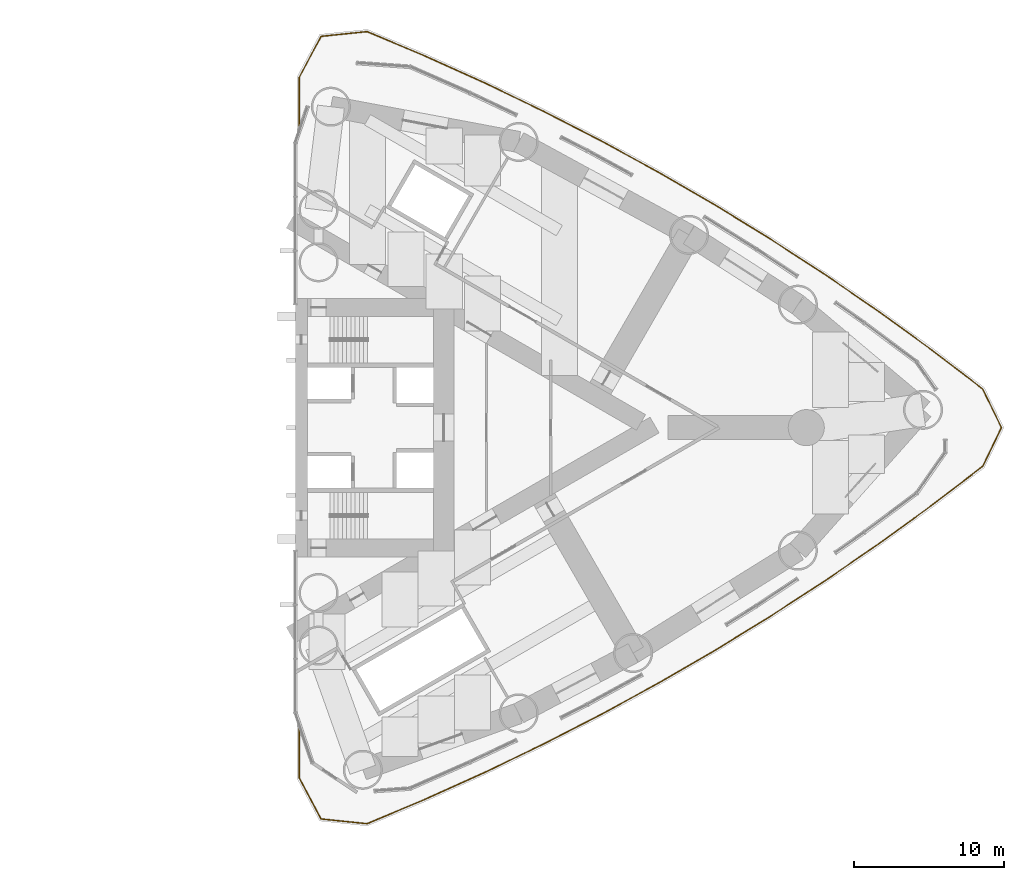
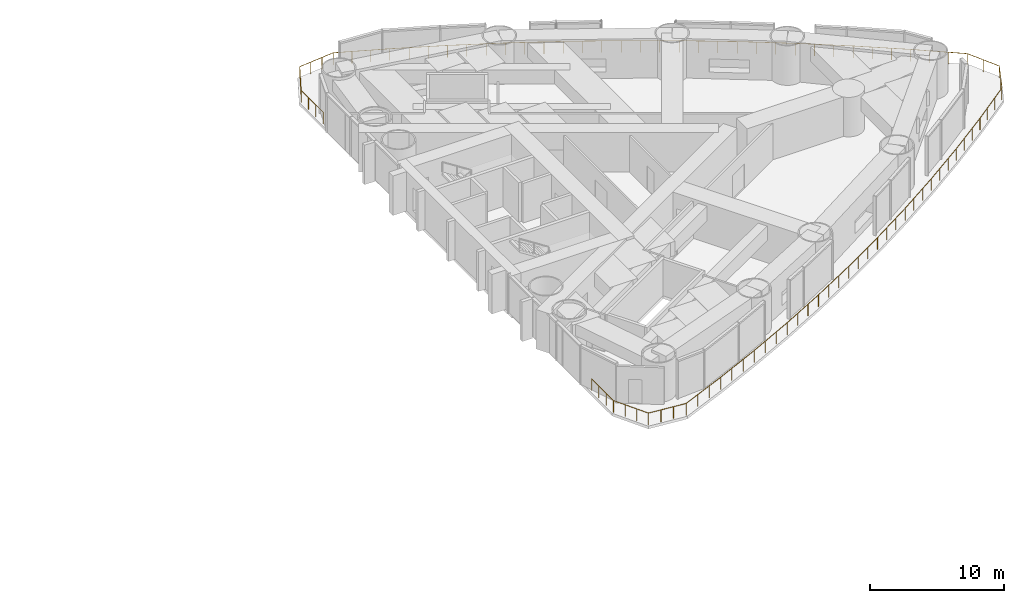
# One storey, part 19 of 19: 1 railing.
"""IFC4 building model written with IfcOpenShell, lengths in metres."""

import ifcopenshell
import ifcopenshell.guid

model = None  # the IFC model being written
_history = None  # IfcOwnerHistory: only IFC2X3 demands one
_inside = {}  # id of a spatial element -> (the spatial element, [elements in it])
_under = {}  # id of a project, library or spatial element -> (it, [spatial elements below it])
_declared = {}  # id of a project -> (the project, [libraries it declares])
_typed = {}  # id of a type object -> (the type object, [elements of that type])
_made_of = {}  # id of a material, layer set ... -> (it, [elements and type objects made of it])


def new_model(schema):
    """Start an empty IFC model of exactly this schema.

    Asked for "IFC4X3", IfcOpenShell would pick the latest addendum, in which some entities
    have other attributes; the version numbers below select the first issue.
    IFC2X3 requires an IfcOwnerHistory on every rooted entity: one is made here for all.
    """
    global model, _history
    if schema == "IFC4X3":
        model = ifcopenshell.file(schema_version=(4, 3, 0, 0))
    else:
        model = ifcopenshell.file(schema=schema)
    _inside.clear()
    _under.clear()
    _declared.clear()
    _typed.clear()
    _made_of.clear()
    _history = None
    if model.schema == "IFC2X3":
        org = make("IfcOrganization", Name="unknown")
        user = make(
            "IfcPersonAndOrganization",
            ThePerson=make("IfcPerson", FamilyName="unknown"),
            TheOrganization=org,
        )
        app = make(
            "IfcApplication",
            ApplicationDeveloper=org,
            Version="unknown",
            ApplicationFullName="unknown",
            ApplicationIdentifier="unknown",
        )
        _history = make(
            "IfcOwnerHistory",
            OwningUser=user,
            OwningApplication=app,
            ChangeAction="ADDED",
            CreationDate=0,
        )
    return model


def make(cls, **values):
    """One entity of the class cls with the attributes given. An attribute that is None is left unset."""
    return model.create_entity(
        cls, **{name: value for name, value in values.items() if value is not None}
    )


def rooted(cls, **values):
    """An entity with a GlobalId (a new one), such as an element, a storey or a relation."""
    return make(cls, GlobalId=ifcopenshell.guid.new(), OwnerHistory=_history, **values)


def si_unit(unit_type, name, prefix=None):
    """IfcSIUnit, for example si_unit("LENGTHUNIT", "METRE", prefix="MILLI")."""
    return make("IfcSIUnit", UnitType=unit_type, Prefix=prefix, Name=name)


def assignment(units):
    """IfcUnitAssignment: the units of a project."""
    return None if units is None else make("IfcUnitAssignment", Units=units)


def point(xyz):
    """IfcCartesianPoint."""
    return None if xyz is None else make("IfcCartesianPoint", Coordinates=xyz)


def direction(xyz):
    """IfcDirection."""
    return None if xyz is None else make("IfcDirection", DirectionRatios=xyz)


def frame(location, z_axis=None, x_axis=None):
    """IfcAxis2Placement3D, a coordinate frame: its origin and axes. An axis left out is left unset."""
    return make(
        "IfcAxis2Placement3D",
        Location=point(location),
        Axis=direction(z_axis),
        RefDirection=direction(x_axis),
    )


def frame_2d(location, x_axis=None):
    """IfcAxis2Placement2D, a coordinate frame in the plane: its origin and x axis."""
    return make(
        "IfcAxis2Placement2D", Location=point(location), RefDirection=direction(x_axis)
    )


def origin():
    """The frame at (0, 0, 0) with its axes left unset."""
    return frame((0.0, 0.0, 0.0))


def origin_2d():
    """The frame at (0, 0) in the plane with its x axis left unset."""
    return frame_2d((0.0, 0.0))


def place(relative_to, where):
    """IfcLocalPlacement: puts the frame where relative to a parent placement (None: the world)."""
    return make(
        "IfcLocalPlacement", PlacementRelTo=relative_to, RelativePlacement=where
    )


def context(
    kind, dimensions, precision=None, world=None, true_north=None, identifier=None
):
    """IfcGeometricRepresentationContext, for example the 3D "Model" context."""
    return make(
        "IfcGeometricRepresentationContext",
        ContextIdentifier=identifier,
        ContextType=kind,
        CoordinateSpaceDimension=dimensions,
        Precision=precision,
        WorldCoordinateSystem=world,
        TrueNorth=true_north,
    )


def subcontext(parent, identifier, kind, view, scale=None):
    """IfcGeometricRepresentationSubContext, for example "Body" below "Model"."""
    return make(
        "IfcGeometricRepresentationSubContext",
        ContextIdentifier=identifier,
        ContextType=kind,
        ParentContext=parent,
        TargetScale=scale,
        TargetView=view,
    )


def project(units=None, contexts=None):
    """IfcProject with its units and contexts."""
    return rooted(
        "IfcProject",
        Name="project",
        RepresentationContexts=contexts,
        UnitsInContext=assignment(units),
    )


def spatial(cls, under=None, at=None, **own):
    """A site, building, storey or space (cls), placed at a placement, below another one or the project."""
    s = rooted(cls, ObjectPlacement=at, **own)
    if under is not None:
        _under.setdefault(under.id(), (under, []))[1].append(s)
    return s


def profile(cls, at=None, kind="AREA", **sizes):
    """A parametric profile (cls). Its sizes go by their IFC names, for example OverallWidth=200.0."""
    return make(cls, ProfileType=kind, Position=at, **sizes)


def circle(**sizes):
    """IfcCircleProfileDef."""
    return profile("IfcCircleProfileDef", **sizes)


def extrude(swept, where, along, depth):
    """IfcExtrudedAreaSolid: the profile swept, set in the frame where, extruded along a direction by depth."""
    return make(
        "IfcExtrudedAreaSolid",
        SweptArea=swept,
        Position=where,
        ExtrudedDirection=direction(along),
        Depth=depth,
    )


def shape(context_of_items, identifier, shape_type, items):
    """IfcShapeRepresentation: the items that make up one representation, for example the "Body"."""
    return make(
        "IfcShapeRepresentation",
        ContextOfItems=context_of_items,
        RepresentationIdentifier=identifier,
        RepresentationType=shape_type,
        Items=items,
    )


def material(Name=None, Category=None):
    """IfcMaterial."""
    return make("IfcMaterial", Name=Name, Category=Category)


def made_of(thing, what):
    """Note that an element or type object is made of a material, layer set ...; save() writes the relation."""
    if what is not None:
        _made_of.setdefault(what.id(), (what, []))[1].append(thing)
    return thing


def type_object(cls, material=None, **own):
    """A type object (cls), such as IfcWallType, which elements share."""
    return made_of(rooted(cls, **own), material)


def element(
    cls,
    number,
    at=None,
    inside=None,
    cuts=None,
    type_object=None,
    material=None,
    context=None,
    identifier="Body",
    shape_type=None,
    held_by="IfcProductDefinitionShape",
    body=None,
    shapes=None,
    **own,
):
    """One element of the class cls, such as IfcWall. Its Tag is "e" and its number.

    at: its placement. inside: the storey or other place that contains it. cuts: it is an
    opening in that element (IfcRelVoidsElement). A single representation is given by context,
    identifier, shape_type and body (its items); several are given by shapes. held_by: the class
    of the entity that holds the representations. save() writes the other relations.
    """
    e = rooted(cls, Tag="e%d" % number, ObjectPlacement=at, **own)
    if body is not None:
        shapes = [shape(context, identifier, shape_type, body)]
    if shapes is not None:
        e.Representation = make(held_by, Representations=shapes)
    if inside is not None:
        _inside.setdefault(inside.id(), (inside, []))[1].append(e)
    if cuts is not None:
        rooted(
            "IfcRelVoidsElement", RelatingBuildingElement=cuts, RelatedOpeningElement=e
        )
    if type_object is not None:
        _typed.setdefault(type_object.id(), (type_object, []))[1].append(e)
    return made_of(e, material)


def aggregate(whole, parts):
    """IfcRelAggregates: a whole, such as a stair, and the parts it consists of."""
    return rooted("IfcRelAggregates", RelatingObject=whole, RelatedObjects=parts)


def save(model, path):
    """Write the relations noted so far, then the file.

    IfcRelAggregates (storeys below a building ...), IfcRelContainedInSpatialStructure (elements
    in a storey), IfcRelDefinesByType, IfcRelAssociatesMaterial and IfcRelDeclares: one each for
    every whole, place, type object, material and project.
    """
    for whole, parts in _under.values():
        aggregate(whole, parts)
    for where, things in _inside.values():
        rooted(
            "IfcRelContainedInSpatialStructure",
            RelatedElements=things,
            RelatingStructure=where,
        )
    for kind, things in _typed.values():
        rooted("IfcRelDefinesByType", RelatedObjects=things, RelatingType=kind)
    for what, things in _made_of.values():
        rooted("IfcRelAssociatesMaterial", RelatedObjects=things, RelatingMaterial=what)
    for by, libraries in _declared.values():
        rooted("IfcRelDeclares", RelatingContext=by, RelatedDefinitions=libraries)
    model.write(path)


model = new_model("IFC4")

# Units and contexts
model_context = context("Model", 3, precision=1e-05, world=origin(), true_north=direction((0.0, 1.0)))
body_context = subcontext(model_context, "Body", "Model", "MODEL_VIEW")
ifc_project = project(units=[si_unit("LENGTHUNIT", "METRE"), si_unit("AREAUNIT", "SQUARE_METRE"), si_unit("VOLUMEUNIT", "CUBIC_METRE"), si_unit("PLANEANGLEUNIT", "RADIAN"), si_unit("MASSUNIT", "GRAM", prefix="KILO")], contexts=[model_context])

# Site, building, storey
site_placement = place(None, origin())
site = spatial("IfcSite", under=ifc_project, at=site_placement, CompositionType="ELEMENT")
building_placement = place(site_placement, origin())
building = spatial("IfcBuilding", under=site, at=building_placement, Name="Lancet Gate Hotel", CompositionType="ELEMENT")
storey_placement = place(building_placement, frame((0.0, 0.0, 87.0)))
storey = spatial("IfcBuildingStorey", under=building, at=storey_placement, Name="L22", CompositionType="ELEMENT", Elevation=87.0)

# Railing
ifc_material = material(Name="Galvanised steel guard rail", Category="steel")
railing_type = type_object("IfcRailingType", Name="Roof guard rail 1100", PredefinedType="GUARDRAIL", material=ifc_material)
railing_placement = place(storey_placement, frame((27.77001953125, -20.045166015625, 0.0)))
element("IfcRailing", 1, at=railing_placement, inside=storey, type_object=railing_type, Name="T2 L22 maintenance roof guard rail", PredefinedType="GUARDRAIL", context=body_context, shape_type="SweptSolid", body=[
    extrude(circle(Radius=0.02392578125, at=origin_2d()), frame((0.0, 0.0, 1.076171875), z_axis=(0.0, -1.0, 0.0), x_axis=(1.0, 0.0, 0.0)), (0.0, 0.0, 1.0), 3.272216796875),
    extrude(circle(Radius=0.02392578125, at=origin_2d()), frame((0.0, -3.272216796875, 1.076171875), z_axis=(0.46984708778, -0.882747820221, 0.0), x_axis=(0.882747820221, 0.46984708778, 0.0)), (0.0, 0.0, 1.0), 3.078125),
    extrude(circle(Radius=0.02392578125, at=origin_2d()), frame((1.4462890625, -5.989501953125, 1.076171875), z_axis=(0.99467245029, -0.103085967203, 0.0), x_axis=(0.103085967203, 0.99467245029, 0.0)), (0.0, 0.0, 1.0), 3.076416015625),
    extrude(circle(Radius=0.02392578125, at=origin_2d()), frame((4.50634765625, -6.306640625, 1.076171875), z_axis=(0.921593347502, 0.388156800585, 0.0), x_axis=(-0.388156800585, 0.921593347502, 0.0)), (0.0, 0.0, 1.0), 4.26513671875),
    extrude(circle(Radius=0.02392578125, at=origin_2d()), frame((8.43701171875, -4.651123046875, 1.076171875), z_axis=(0.911406065658, 0.41150818155, 0.0), x_axis=(-0.41150818155, 0.911406065658, 0.0)), (0.0, 0.0, 1.0), 4.3310546875),
    extrude(circle(Radius=0.02392578125, at=origin_2d()), frame((12.38427734375, -2.868896484375, 1.076171875), z_axis=(0.900640658769, 0.434564614036, 0.0), x_axis=(-0.434564614036, 0.900640658769, 0.0)), (0.0, 0.0, 1.0), 4.3310546875),
    extrude(circle(Radius=0.02392578125, at=origin_2d()), frame((16.284912109375, -0.98681640625, 1.076171875), z_axis=(0.889307454318, 0.457309798379, 0.0), x_axis=(-0.457309798379, 0.889307454318, 0.0)), (0.0, 0.0, 1.0), 4.330810546875),
    extrude(circle(Radius=0.02392578125, at=origin_2d()), frame((20.13623046875, 0.99365234375, 1.076171875), z_axis=(0.877360757137, 0.479831326443, 0.0), x_axis=(-0.479831326443, 0.877360757137, 0.0)), (0.0, 0.0, 1.0), 4.3310546875),
    extrude(circle(Radius=0.02392578125, at=origin_2d()), frame((23.93603515625, 3.07177734375, 1.076171875), z_axis=(0.864868690891, 0.501998154894, 0.0), x_axis=(-0.501998154894, 0.864868690891, 0.0)), (0.0, 0.0, 1.0), 4.330810546875),
    extrude(circle(Radius=0.02392578125, at=origin_2d()), frame((27.681640625, 5.245849609375, 1.076171875), z_axis=(0.851836335125, 0.523808035602, 0.0), x_axis=(-0.523808035602, 0.851836335125, 0.0)), (0.0, 0.0, 1.0), 4.330810546875),
    extrude(circle(Radius=0.02392578125, at=origin_2d()), frame((31.370849609375, 7.514404296875, 1.076171875), z_axis=(0.83818207278, 0.5453905141, 0.0), x_axis=(-0.5453905141, 0.83818207278, 0.0)), (0.0, 0.0, 1.0), 4.3310546875),
    extrude(circle(Radius=0.02392578125, at=origin_2d()), frame((35.0009765625, 9.87646484375, 1.076171875), z_axis=(0.82406495134, 0.566495327406, 0.0), x_axis=(-0.566495327406, 0.82406495134, 0.0)), (0.0, 0.0, 1.0), 4.330810546875),
    extrude(circle(Radius=0.02392578125, at=origin_2d()), frame((38.56982421875, 12.329833984375, 1.076171875), z_axis=(0.809384019067, 0.587279754188, 0.0), x_axis=(-0.587279754188, 0.809384019067, 0.0)), (0.0, 0.0, 1.0), 4.330810546875),
    extrude(circle(Radius=0.02392578125, at=origin_2d()), frame((42.0751953125, 14.873291015625, 1.076171875), z_axis=(0.794151699807, 0.60771957159, 0.0), x_axis=(-0.60771957159, 0.794151699807, 0.0)), (0.0, 0.0, 1.0), 4.2705078125),
    extrude(circle(Radius=0.02392578125, at=origin_2d()), frame((45.466552734375, 17.468505859375, 1.076171875), z_axis=(0.437163986249, 0.899381814985, 0.0), x_axis=(-0.899381814985, 0.437163986249, 0.0)), (0.0, 0.0, 1.0), 2.864990234375),
    extrude(circle(Radius=0.02392578125, at=origin_2d()), frame((46.718994140625, 20.045166015625, 1.076171875), z_axis=(-0.437163986249, 0.899381814985, 0.0), x_axis=(-0.899381814985, -0.437163986249, 0.0)), (0.0, 0.0, 1.0), 2.864990234375),
    extrude(circle(Radius=0.02392578125, at=origin_2d()), frame((45.466552734375, 22.621826171875, 1.076171875), z_axis=(-0.794151699807, 0.60771957159, 0.0), x_axis=(-0.60771957159, -0.794151699807, 0.0)), (0.0, 0.0, 1.0), 4.2705078125),
    extrude(circle(Radius=0.02392578125, at=origin_2d()), frame((42.0751953125, 25.217041015625, 1.076171875), z_axis=(-0.809384019067, 0.587279754188, 0.0), x_axis=(-0.587279754188, -0.809384019067, 0.0)), (0.0, 0.0, 1.0), 4.330810546875),
    extrude(circle(Radius=0.02392578125, at=origin_2d()), frame((38.56982421875, 27.760498046875, 1.076171875), z_axis=(-0.82406495134, 0.566495327406, 0.0), x_axis=(-0.566495327406, -0.82406495134, 0.0)), (0.0, 0.0, 1.0), 4.330810546875),
    extrude(circle(Radius=0.02392578125, at=origin_2d()), frame((35.0009765625, 30.2138671875, 1.076171875), z_axis=(-0.83818207278, 0.5453905141, 0.0), x_axis=(-0.5453905141, -0.83818207278, 0.0)), (0.0, 0.0, 1.0), 4.3310546875),
    extrude(circle(Radius=0.02392578125, at=origin_2d()), frame((31.370849609375, 32.575927734375, 1.076171875), z_axis=(-0.851836335125, 0.523808035602, 0.0), x_axis=(-0.523808035602, -0.851836335125, 0.0)), (0.0, 0.0, 1.0), 4.330810546875),
    extrude(circle(Radius=0.02392578125, at=origin_2d()), frame((27.681640625, 34.844482421875, 1.076171875), z_axis=(-0.864868690891, 0.501998154894, 0.0), x_axis=(-0.501998154894, -0.864868690891, 0.0)), (0.0, 0.0, 1.0), 4.330810546875),
    extrude(circle(Radius=0.02392578125, at=origin_2d()), frame((23.93603515625, 37.0185546875, 1.076171875), z_axis=(-0.877360757137, 0.479831326443, 0.0), x_axis=(-0.479831326443, -0.877360757137, 0.0)), (0.0, 0.0, 1.0), 4.3310546875),
    extrude(circle(Radius=0.02392578125, at=origin_2d()), frame((20.13623046875, 39.0966796875, 1.076171875), z_axis=(-0.889307454318, 0.457309798379, 0.0), x_axis=(-0.457309798379, -0.889307454318, 0.0)), (0.0, 0.0, 1.0), 4.330810546875),
    extrude(circle(Radius=0.02392578125, at=origin_2d()), frame((16.284912109375, 41.0771484375, 1.076171875), z_axis=(-0.900640658769, 0.434564614036, 0.0), x_axis=(-0.434564614036, -0.900640658769, 0.0)), (0.0, 0.0, 1.0), 4.3310546875),
    extrude(circle(Radius=0.02392578125, at=origin_2d()), frame((12.38427734375, 42.959228515625, 1.076171875), z_axis=(-0.911406065658, 0.41150818155, 0.0), x_axis=(-0.41150818155, -0.911406065658, 0.0)), (0.0, 0.0, 1.0), 4.3310546875),
    extrude(circle(Radius=0.02392578125, at=origin_2d()), frame((8.43701171875, 44.741455078125, 1.076171875), z_axis=(-0.921593347502, 0.388156800585, 0.0), x_axis=(-0.388156800585, -0.921593347502, 0.0)), (0.0, 0.0, 1.0), 4.26513671875),
    extrude(circle(Radius=0.02392578125, at=origin_2d()), frame((4.50634765625, 46.39697265625, 1.076171875), z_axis=(-0.99467245029, -0.103085967203, 0.0), x_axis=(0.103085967203, -0.99467245029, 0.0)), (0.0, 0.0, 1.0), 3.076416015625),
    extrude(circle(Radius=0.02392578125, at=origin_2d()), frame((1.4462890625, 46.079833984375, 1.076171875), z_axis=(-0.46984708778, -0.882747820221, 0.0), x_axis=(0.882747820221, -0.46984708778, 0.0)), (0.0, 0.0, 1.0), 3.078125),
    extrude(circle(Radius=0.02392578125, at=origin_2d()), frame((0.0, 43.362548828125, 1.076171875), z_axis=(0.0, -1.0, 0.0), x_axis=(1.0, 0.0, 0.0)), (0.0, 0.0, 1.0), 3.272216796875),
    extrude(circle(Radius=0.02099609375, at=origin_2d()), origin(), (0.0, 0.0, 1.0), 1.052001953125),
    extrude(circle(Radius=0.02099609375, at=origin_2d()), frame((0.0, -1.0908203125, 0.0)), (0.0, 0.0, 1.0), 1.052001953125),
    extrude(circle(Radius=0.02099609375, at=origin_2d()), frame((0.0, -2.181396484375, 0.0)), (0.0, 0.0, 1.0), 1.052001953125),
    extrude(circle(Radius=0.02099609375, at=origin_2d()), frame((0.0, -3.272216796875, 0.0)), (0.0, 0.0, 1.0), 1.052001953125),
    extrude(circle(Radius=0.02099609375, at=origin_2d()), frame((0.482177734375, -4.177978515625, 0.0)), (0.0, 0.0, 1.0), 1.052001953125),
    extrude(circle(Radius=0.02099609375, at=origin_2d()), frame((0.964111328125, -5.083740234375, 0.0)), (0.0, 0.0, 1.0), 1.052001953125),
    extrude(circle(Radius=0.02099609375, at=origin_2d()), frame((1.4462890625, -5.989501953125, 0.0)), (0.0, 0.0, 1.0), 1.052001953125),
    extrude(circle(Radius=0.02099609375, at=origin_2d()), frame((2.46630859375, -6.09521484375, 0.0)), (0.0, 0.0, 1.0), 1.052001953125),
    extrude(circle(Radius=0.02099609375, at=origin_2d()), frame((3.486328125, -6.200927734375, 0.0)), (0.0, 0.0, 1.0), 1.052001953125),
    extrude(circle(Radius=0.02099609375, at=origin_2d()), frame((4.50634765625, -6.306640625, 0.0)), (0.0, 0.0, 1.0), 1.052001953125),
    extrude(circle(Radius=0.02099609375, at=origin_2d()), frame((5.816650390625, -5.7548828125, 0.0)), (0.0, 0.0, 1.0), 1.052001953125),
    extrude(circle(Radius=0.02099609375, at=origin_2d()), frame((7.126708984375, -5.202880859375, 0.0)), (0.0, 0.0, 1.0), 1.052001953125),
    extrude(circle(Radius=0.02099609375, at=origin_2d()), frame((8.43701171875, -4.651123046875, 0.0)), (0.0, 0.0, 1.0), 1.052001953125),
    extrude(circle(Radius=0.02099609375, at=origin_2d()), frame((9.752685546875, -4.05712890625, 0.0)), (0.0, 0.0, 1.0), 1.052001953125),
    extrude(circle(Radius=0.02099609375, at=origin_2d()), frame((11.068603515625, -3.462890625, 0.0)), (0.0, 0.0, 1.0), 1.052001953125),
    extrude(circle(Radius=0.02099609375, at=origin_2d()), frame((12.38427734375, -2.868896484375, 0.0)), (0.0, 0.0, 1.0), 1.052001953125),
    extrude(circle(Radius=0.02099609375, at=origin_2d()), frame((13.6845703125, -2.241455078125, 0.0)), (0.0, 0.0, 1.0), 1.052001953125),
    extrude(circle(Radius=0.02099609375, at=origin_2d()), frame((14.984619140625, -1.6142578125, 0.0)), (0.0, 0.0, 1.0), 1.052001953125),
    extrude(circle(Radius=0.02099609375, at=origin_2d()), frame((16.284912109375, -0.98681640625, 0.0)), (0.0, 0.0, 1.0), 1.052001953125),
    extrude(circle(Radius=0.02099609375, at=origin_2d()), frame((17.568603515625, -0.32666015625, 0.0)), (0.0, 0.0, 1.0), 1.052001953125),
    extrude(circle(Radius=0.02099609375, at=origin_2d()), frame((18.8525390625, 0.33349609375, 0.0)), (0.0, 0.0, 1.0), 1.052001953125),
    extrude(circle(Radius=0.02099609375, at=origin_2d()), frame((20.13623046875, 0.99365234375, 0.0)), (0.0, 0.0, 1.0), 1.052001953125),
    extrude(circle(Radius=0.02099609375, at=origin_2d()), frame((21.40283203125, 1.686279296875, 0.0)), (0.0, 0.0, 1.0), 1.052001953125),
    extrude(circle(Radius=0.02099609375, at=origin_2d()), frame((22.66943359375, 2.379150390625, 0.0)), (0.0, 0.0, 1.0), 1.052001953125),
    extrude(circle(Radius=0.02099609375, at=origin_2d()), frame((23.93603515625, 3.07177734375, 0.0)), (0.0, 0.0, 1.0), 1.052001953125),
    extrude(circle(Radius=0.02099609375, at=origin_2d()), frame((25.1845703125, 3.79638671875, 0.0)), (0.0, 0.0, 1.0), 1.052001953125),
    extrude(circle(Radius=0.02099609375, at=origin_2d()), frame((26.43310546875, 4.521240234375, 0.0)), (0.0, 0.0, 1.0), 1.052001953125),
    extrude(circle(Radius=0.02099609375, at=origin_2d()), frame((27.681640625, 5.245849609375, 0.0)), (0.0, 0.0, 1.0), 1.052001953125),
    extrude(circle(Radius=0.02099609375, at=origin_2d()), frame((28.911376953125, 6.001953125, 0.0)), (0.0, 0.0, 1.0), 1.052001953125),
    extrude(circle(Radius=0.02099609375, at=origin_2d()), frame((30.14111328125, 6.75830078125, 0.0)), (0.0, 0.0, 1.0), 1.052001953125),
    extrude(circle(Radius=0.02099609375, at=origin_2d()), frame((31.370849609375, 7.514404296875, 0.0)), (0.0, 0.0, 1.0), 1.052001953125),
    extrude(circle(Radius=0.02099609375, at=origin_2d()), frame((32.580810546875, 8.3017578125, 0.0)), (0.0, 0.0, 1.0), 1.052001953125),
    extrude(circle(Radius=0.02099609375, at=origin_2d()), frame((33.791015625, 9.089111328125, 0.0)), (0.0, 0.0, 1.0), 1.052001953125),
    extrude(circle(Radius=0.02099609375, at=origin_2d()), frame((35.0009765625, 9.87646484375, 0.0)), (0.0, 0.0, 1.0), 1.052001953125),
    extrude(circle(Radius=0.02099609375, at=origin_2d()), frame((36.190673828125, 10.6943359375, 0.0)), (0.0, 0.0, 1.0), 1.052001953125),
    extrude(circle(Radius=0.02099609375, at=origin_2d()), frame((37.380126953125, 11.511962890625, 0.0)), (0.0, 0.0, 1.0), 1.052001953125),
    extrude(circle(Radius=0.02099609375, at=origin_2d()), frame((38.56982421875, 12.329833984375, 0.0)), (0.0, 0.0, 1.0), 1.052001953125),
    extrude(circle(Radius=0.02099609375, at=origin_2d()), frame((39.73828125, 13.177734375, 0.0)), (0.0, 0.0, 1.0), 1.052001953125),
    extrude(circle(Radius=0.02099609375, at=origin_2d()), frame((40.90673828125, 14.025390625, 0.0)), (0.0, 0.0, 1.0), 1.052001953125),
    extrude(circle(Radius=0.02099609375, at=origin_2d()), frame((42.0751953125, 14.873291015625, 0.0)), (0.0, 0.0, 1.0), 1.052001953125),
    extrude(circle(Radius=0.02099609375, at=origin_2d()), frame((43.20556640625, 15.73828125, 0.0)), (0.0, 0.0, 1.0), 1.052001953125),
    extrude(circle(Radius=0.02099609375, at=origin_2d()), frame((44.336181640625, 16.603515625, 0.0)), (0.0, 0.0, 1.0), 1.052001953125),
    extrude(circle(Radius=0.02099609375, at=origin_2d()), frame((45.466552734375, 17.468505859375, 0.0)), (0.0, 0.0, 1.0), 1.052001953125),
    extrude(circle(Radius=0.02099609375, at=origin_2d()), frame((46.0927734375, 18.7568359375, 0.0)), (0.0, 0.0, 1.0), 1.052001953125),
    extrude(circle(Radius=0.02099609375, at=origin_2d()), frame((46.718994140625, 20.045166015625, 0.0)), (0.0, 0.0, 1.0), 1.052001953125),
    extrude(circle(Radius=0.02099609375, at=origin_2d()), frame((46.0927734375, 21.33349609375, 0.0)), (0.0, 0.0, 1.0), 1.052001953125),
    extrude(circle(Radius=0.02099609375, at=origin_2d()), frame((45.466552734375, 22.621826171875, 0.0)), (0.0, 0.0, 1.0), 1.052001953125),
    extrude(circle(Radius=0.02099609375, at=origin_2d()), frame((44.336181640625, 23.48681640625, 0.0)), (0.0, 0.0, 1.0), 1.052001953125),
    extrude(circle(Radius=0.02099609375, at=origin_2d()), frame((43.20556640625, 24.35205078125, 0.0)), (0.0, 0.0, 1.0), 1.052001953125),
    extrude(circle(Radius=0.02099609375, at=origin_2d()), frame((42.0751953125, 25.217041015625, 0.0)), (0.0, 0.0, 1.0), 1.052001953125),
    extrude(circle(Radius=0.02099609375, at=origin_2d()), frame((40.90673828125, 26.06494140625, 0.0)), (0.0, 0.0, 1.0), 1.052001953125),
    extrude(circle(Radius=0.02099609375, at=origin_2d()), frame((39.73828125, 26.91259765625, 0.0)), (0.0, 0.0, 1.0), 1.052001953125),
    extrude(circle(Radius=0.02099609375, at=origin_2d()), frame((38.56982421875, 27.760498046875, 0.0)), (0.0, 0.0, 1.0), 1.052001953125),
    extrude(circle(Radius=0.02099609375, at=origin_2d()), frame((37.380126953125, 28.578369140625, 0.0)), (0.0, 0.0, 1.0), 1.052001953125),
    extrude(circle(Radius=0.02099609375, at=origin_2d()), frame((36.190673828125, 29.39599609375, 0.0)), (0.0, 0.0, 1.0), 1.052001953125),
    extrude(circle(Radius=0.02099609375, at=origin_2d()), frame((35.0009765625, 30.2138671875, 0.0)), (0.0, 0.0, 1.0), 1.052001953125),
    extrude(circle(Radius=0.02099609375, at=origin_2d()), frame((33.791015625, 31.001220703125, 0.0)), (0.0, 0.0, 1.0), 1.052001953125),
    extrude(circle(Radius=0.02099609375, at=origin_2d()), frame((32.580810546875, 31.78857421875, 0.0)), (0.0, 0.0, 1.0), 1.052001953125),
    extrude(circle(Radius=0.02099609375, at=origin_2d()), frame((31.370849609375, 32.575927734375, 0.0)), (0.0, 0.0, 1.0), 1.052001953125),
    extrude(circle(Radius=0.02099609375, at=origin_2d()), frame((30.14111328125, 33.33203125, 0.0)), (0.0, 0.0, 1.0), 1.052001953125),
    extrude(circle(Radius=0.02099609375, at=origin_2d()), frame((28.911376953125, 34.08837890625, 0.0)), (0.0, 0.0, 1.0), 1.052001953125),
    extrude(circle(Radius=0.02099609375, at=origin_2d()), frame((27.681640625, 34.844482421875, 0.0)), (0.0, 0.0, 1.0), 1.052001953125),
    extrude(circle(Radius=0.02099609375, at=origin_2d()), frame((26.43310546875, 35.569091796875, 0.0)), (0.0, 0.0, 1.0), 1.052001953125),
    extrude(circle(Radius=0.02099609375, at=origin_2d()), frame((25.1845703125, 36.2939453125, 0.0)), (0.0, 0.0, 1.0), 1.052001953125),
    extrude(circle(Radius=0.02099609375, at=origin_2d()), frame((23.93603515625, 37.0185546875, 0.0)), (0.0, 0.0, 1.0), 1.052001953125),
    extrude(circle(Radius=0.02099609375, at=origin_2d()), frame((22.66943359375, 37.711181640625, 0.0)), (0.0, 0.0, 1.0), 1.052001953125),
    extrude(circle(Radius=0.02099609375, at=origin_2d()), frame((21.40283203125, 38.404052734375, 0.0)), (0.0, 0.0, 1.0), 1.052001953125),
    extrude(circle(Radius=0.02099609375, at=origin_2d()), frame((20.13623046875, 39.0966796875, 0.0)), (0.0, 0.0, 1.0), 1.052001953125),
    extrude(circle(Radius=0.02099609375, at=origin_2d()), frame((18.8525390625, 39.7568359375, 0.0)), (0.0, 0.0, 1.0), 1.052001953125),
    extrude(circle(Radius=0.02099609375, at=origin_2d()), frame((17.568603515625, 40.4169921875, 0.0)), (0.0, 0.0, 1.0), 1.052001953125),
    extrude(circle(Radius=0.02099609375, at=origin_2d()), frame((16.284912109375, 41.0771484375, 0.0)), (0.0, 0.0, 1.0), 1.052001953125),
    extrude(circle(Radius=0.02099609375, at=origin_2d()), frame((14.984619140625, 41.70458984375, 0.0)), (0.0, 0.0, 1.0), 1.052001953125),
    extrude(circle(Radius=0.02099609375, at=origin_2d()), frame((13.6845703125, 42.331787109375, 0.0)), (0.0, 0.0, 1.0), 1.052001953125),
    extrude(circle(Radius=0.02099609375, at=origin_2d()), frame((12.38427734375, 42.959228515625, 0.0)), (0.0, 0.0, 1.0), 1.052001953125),
    extrude(circle(Radius=0.02099609375, at=origin_2d()), frame((11.068603515625, 43.55322265625, 0.0)), (0.0, 0.0, 1.0), 1.052001953125),
    extrude(circle(Radius=0.02099609375, at=origin_2d()), frame((9.752685546875, 44.1474609375, 0.0)), (0.0, 0.0, 1.0), 1.052001953125),
    extrude(circle(Radius=0.02099609375, at=origin_2d()), frame((8.43701171875, 44.741455078125, 0.0)), (0.0, 0.0, 1.0), 1.052001953125),
    extrude(circle(Radius=0.02099609375, at=origin_2d()), frame((7.126708984375, 45.293212890625, 0.0)), (0.0, 0.0, 1.0), 1.052001953125),
    extrude(circle(Radius=0.02099609375, at=origin_2d()), frame((5.816650390625, 45.84521484375, 0.0)), (0.0, 0.0, 1.0), 1.052001953125),
    extrude(circle(Radius=0.02099609375, at=origin_2d()), frame((4.50634765625, 46.39697265625, 0.0)), (0.0, 0.0, 1.0), 1.052001953125),
    extrude(circle(Radius=0.02099609375, at=origin_2d()), frame((3.486328125, 46.291259765625, 0.0)), (0.0, 0.0, 1.0), 1.052001953125),
    extrude(circle(Radius=0.02099609375, at=origin_2d()), frame((2.46630859375, 46.185546875, 0.0)), (0.0, 0.0, 1.0), 1.052001953125),
    extrude(circle(Radius=0.02099609375, at=origin_2d()), frame((1.4462890625, 46.079833984375, 0.0)), (0.0, 0.0, 1.0), 1.052001953125),
    extrude(circle(Radius=0.02099609375, at=origin_2d()), frame((0.964111328125, 45.174072265625, 0.0)), (0.0, 0.0, 1.0), 1.052001953125),
    extrude(circle(Radius=0.02099609375, at=origin_2d()), frame((0.482177734375, 44.268310546875, 0.0)), (0.0, 0.0, 1.0), 1.052001953125),
    extrude(circle(Radius=0.02099609375, at=origin_2d()), frame((0.0, 43.362548828125, 0.0)), (0.0, 0.0, 1.0), 1.052001953125),
    extrude(circle(Radius=0.02099609375, at=origin_2d()), frame((0.0, 42.271728515625, 0.0)), (0.0, 0.0, 1.0), 1.052001953125),
    extrude(circle(Radius=0.02099609375, at=origin_2d()), frame((0.0, 41.18115234375, 0.0)), (0.0, 0.0, 1.0), 1.052001953125),
    extrude(circle(Radius=0.02099609375, at=origin_2d()), frame((0.0, 40.09033203125, 0.0)), (0.0, 0.0, 1.0), 1.052001953125),
])

save(model, "model.ifc")
